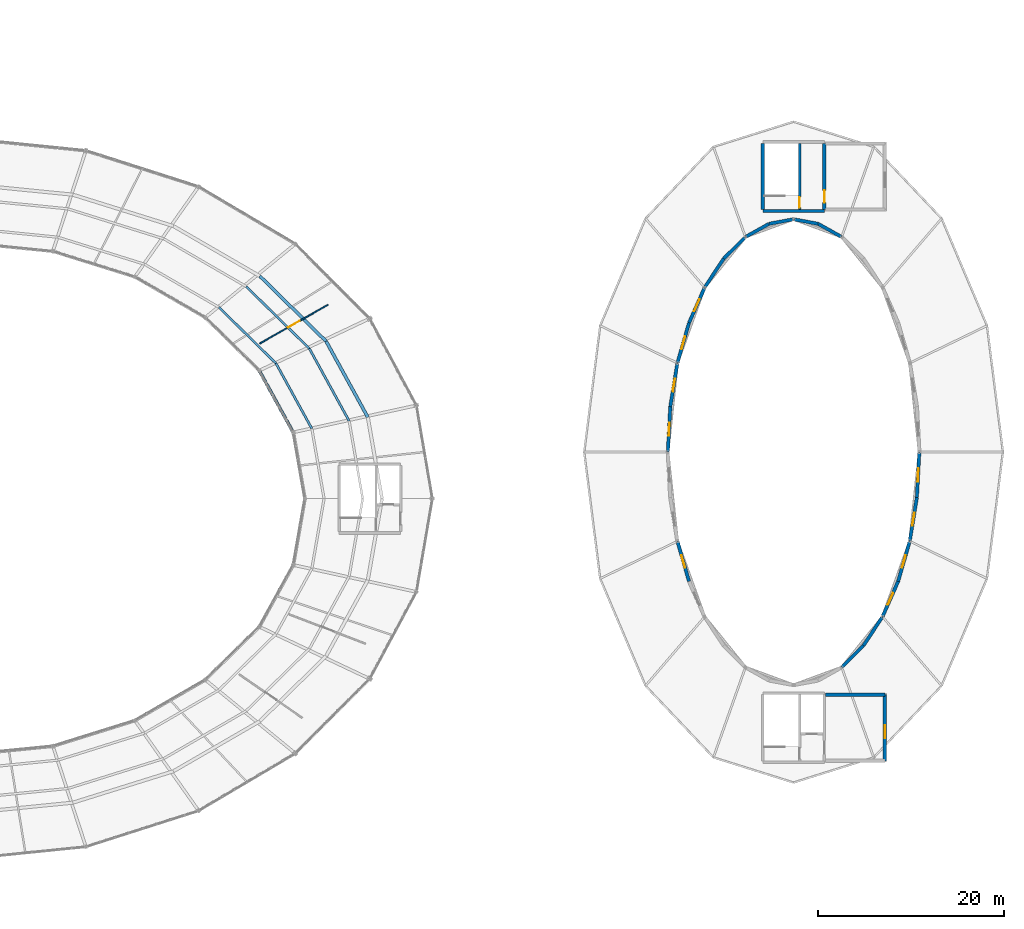
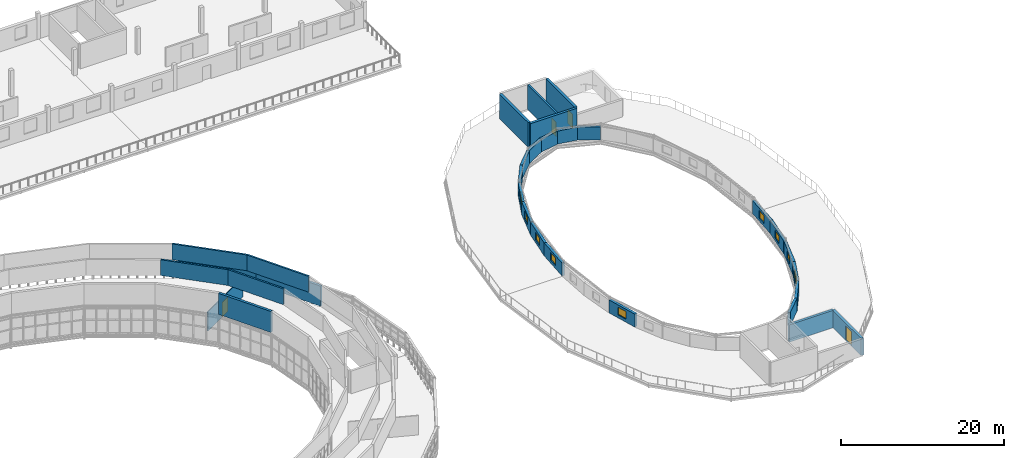
# One storey, part 106 of 123: 31 walls, 9 windows, 4 doors, 13 openings.
"""IFC4 building model written with IfcOpenShell, lengths in metres."""

from ifc_helpers import new_model, si_unit, direction, frame, frame_2d, origin, place, context, subcontext, project, spatial, rectangle, extrude, material, layer, layer_set, type_object, element, fill, save


model = new_model("IFC4")

# Units and contexts
model_context = context("Model", 3, precision=1e-05, world=origin(), true_north=direction((0.0, 1.0)))
body_context = subcontext(model_context, "Body", "Model", "MODEL_VIEW")
ifc_project = project(units=[si_unit("LENGTHUNIT", "METRE"), si_unit("AREAUNIT", "SQUARE_METRE"), si_unit("VOLUMEUNIT", "CUBIC_METRE"), si_unit("PLANEANGLEUNIT", "RADIAN"), si_unit("MASSUNIT", "GRAM", prefix="KILO")], contexts=[model_context])

# Site, building, storey
site_placement = place(None, origin())
site = spatial("IfcSite", under=ifc_project, at=site_placement, CompositionType="ELEMENT")
building_placement = place(site_placement, origin())
building = spatial("IfcBuilding", under=site, at=building_placement, Name="Kildeholm Park Wholesale Market", CompositionType="ELEMENT")
storey_placement = place(building_placement, frame((0.0, 0.0, 9.60009765625)))
storey = spatial("IfcBuildingStorey", under=building, at=storey_placement, Name="L02", CompositionType="ELEMENT", Elevation=9.60009765625)

# Walls
ifc_material_1 = material(Name="Red Danish clinker brick masonry with Concrete C35/45 backing", Category="masonry")
ifc_layer_1 = layer(ifc_material_1, 0.360107421875)
ifc_layer_set_1 = layer_set([ifc_layer_1], Name="Red Danish clinker brick masonry with Concrete C35/45 backing")
wall_type_1 = type_object("IfcWallType", Name="Exterior wall W-EX1 360 mm", PredefinedType="SOLIDWALL", material=ifc_layer_set_1)
wall_1_placement = place(storey_placement, frame((193.131103515625, 117.6240234375, 0.0), z_axis=(0.0, 0.0, 1.0), x_axis=(-0.872857959916, 0.487974365937, 0.0)))
element("IfcWall", 1, at=wall_1_placement, inside=storey, type_object=wall_type_1, Name="Oval nave clerestory wall 4.1 WL-0229", PredefinedType="SOLIDWALL", context=body_context, shape_type="SweptSolid", body=[
    extrude(rectangle(XDim=2.86083984375, YDim=0.360107421875, at=frame_2d((1.430419921875, 0.0))), origin(), (0.0, 0.0, 1.0), 1.949951171875),
])
for number, where, z_axis, x_axis, name in (
    (2, (190.634033203125, 119.02001953125, 0.0), (0.0, 0.0, 1.0), (-0.983320632163, 0.181880549707, 0.0), "Oval nave clerestory wall 4.2 WL-0230"),
    (3, (187.9609375, 119.5, 0.0), (0.0, 0.0, 1.0), (-0.983320632163, -0.181880549707, 0.0), "Oval nave clerestory wall 5.1 WL-0235"),
):
    element("IfcWall", number, at=place(storey_placement, frame(where, z_axis=z_axis, x_axis=x_axis)), inside=storey, type_object=wall_type_1, Name=name, PredefinedType="SOLIDWALL", context=body_context, shape_type="SweptSolid", body=[
        extrude(rectangle(XDim=2.638916015625, YDim=0.360107421875, at=frame_2d((1.3193359375, 0.0))), origin(), (0.0, 0.0, 1.0), 1.949951171875),
    ])
wall_2_placement = place(storey_placement, frame((185.365966796875, 119.02001953125, 0.0), z_axis=(0.0, 0.0, 1.0), x_axis=(-0.872857959916, -0.487974365937, 0.0)))
element("IfcWall", 4, at=wall_2_placement, inside=storey, type_object=wall_type_1, Name="Oval nave clerestory wall 5.2 WL-0236", PredefinedType="SOLIDWALL", context=body_context, shape_type="SweptSolid", body=[
    extrude(rectangle(XDim=2.86083984375, YDim=0.360107421875, at=frame_2d((1.430419921875, 0.0))), origin(), (0.0, 0.0, 1.0), 1.949951171875),
])
wall_3_placement = place(storey_placement, frame((182.805908203125, 117.574951171875, 0.0), z_axis=(0.0, 0.0, 1.0), x_axis=(-0.709882217203, -0.704320408407, 0.0)))
element("IfcWall", 5, at=wall_3_placement, inside=storey, type_object=wall_type_1, Name="Oval nave clerestory wall 6.1 WL-0241", PredefinedType="SOLIDWALL", context=body_context, shape_type="SweptSolid", body=[
    extrude(rectangle(XDim=3.248291015625, YDim=0.360107421875, at=frame_2d((1.6240234375, 0.0))), origin(), (0.0, 0.0, 1.0), 1.949951171875),
])
wall_4_placement = place(storey_placement, frame((180.5, 115.287109375, 0.0), z_axis=(0.0, 0.0, 1.0), x_axis=(-0.550402776331, -0.834899265665, 0.0)))
element("IfcWall", 6, at=wall_4_placement, inside=storey, type_object=wall_type_1, Name="Oval nave clerestory wall 6.2 WL-0242", PredefinedType="SOLIDWALL", context=body_context, shape_type="SweptSolid", body=[
    extrude(rectangle(XDim=3.67724609375, YDim=0.360107421875, at=frame_2d((1.838623046875, 0.0))), origin(), (0.0, 0.0, 1.0), 1.949951171875),
])

# Wall, opening, window
wall_5_placement = place(storey_placement, frame((178.43701171875, 112.14501953125, 0.0), z_axis=(0.0, 0.0, 1.0), x_axis=(-0.404659928735, -0.914467244945, 0.0)))
wall_5 = element("IfcWall", 7, at=wall_5_placement, inside=storey, type_object=wall_type_1, Name="Oval nave clerestory wall 7.1 WL-0247", PredefinedType="SOLIDWALL", context=body_context, shape_type="SweptSolid", body=[
    extrude(rectangle(XDim=4.107421875, YDim=0.360107421875, at=frame_2d((2.0537109375, 0.0))), origin(), (0.0, 0.0, 1.0), 1.949951171875),
])
opening_1_placement = place(wall_5_placement, frame((1.35400390625, 0.0, 0.449951171875)))
opening_1 = element("IfcOpeningElement", 8, at=opening_1_placement, cuts=wall_5, Name="Opening WN-18", PredefinedType="OPENING", context=body_context, shape_type="SweptSolid", body=[
    extrude(rectangle(XDim=1.39990234375, YDim=1.14990234375, at=frame_2d((0.699951171875, 0.574951171875))), frame((0.0, 0.18994140625, 0.0), z_axis=(0.0, -1.0, 0.0), x_axis=(1.0, 0.0, 0.0)), (0.0, 0.0, 1.0), 0.380126953125),
])
ifc_material_2 = material(Name="Thermally broken aluminium and triple-glazed low-E glass", Category="aluminium")
window_type = type_object("IfcWindowType", Name="Window WN-18 1400x1150", PartitioningType="DOUBLE_PANEL_VERTICAL", PredefinedType="WINDOW", material=ifc_material_2)
window_1_placement = place(opening_1_placement, origin())
window_1 = element("IfcWindow", 9, at=window_1_placement, inside=storey, type_object=window_type, Name="Oval clerestory window 7.0 WIN-0062", OverallHeight=1.14990234375, OverallWidth=1.39990234375, PartitioningType="SINGLE_PANEL", PredefinedType="WINDOW", context=body_context, shape_type="SweptSolid", body=[
    extrude(rectangle(XDim=1.39990234375, YDim=1.14990234375, at=frame_2d((0.699951171875, 0.574951171875))), frame((0.0, 0.030029296875, 0.0), z_axis=(0.0, -1.0, 0.0), x_axis=(1.0, 0.0, 0.0)), (0.0, 0.0, 1.0), 0.06005859375),
])
fill(opening_1, window_1)

wall_6_placement = place(storey_placement, frame((176.77490234375, 108.388916015625, 0.0), z_axis=(0.0, 0.0, 1.0), x_axis=(-0.277817244188, -0.960633946325, 0.0)))
wall_6 = element("IfcWall", 10, at=wall_6_placement, inside=storey, type_object=wall_type_1, Name="Oval nave clerestory wall 7.2 WL-0248", PredefinedType="SOLIDWALL", context=body_context, shape_type="SweptSolid", body=[
    extrude(rectangle(XDim=4.455322265625, YDim=0.360107421875, at=frame_2d((2.2275390625, 0.0))), origin(), (0.0, 0.0, 1.0), 1.949951171875),
])
opening_2_placement = place(wall_6_placement, frame((1.528076171875, 0.0, 0.449951171875)))
opening_2 = element("IfcOpeningElement", 11, at=opening_2_placement, cuts=wall_6, Name="Opening WN-18", PredefinedType="OPENING", context=body_context, shape_type="SweptSolid", body=[
    extrude(rectangle(XDim=1.39990234375, YDim=1.14990234375, at=frame_2d((0.699951171875, 0.574951171875))), frame((0.0, 0.18994140625, 0.0), z_axis=(0.0, -1.0, 0.0), x_axis=(1.0, 0.0, 0.0)), (0.0, 0.0, 1.0), 0.380126953125),
])
window_2_placement = place(opening_2_placement, origin())
window_2 = element("IfcWindow", 12, at=window_2_placement, inside=storey, type_object=window_type, Name="Oval clerestory window 7.1 WIN-0063", OverallHeight=1.14990234375, OverallWidth=1.39990234375, PartitioningType="SINGLE_PANEL", PredefinedType="WINDOW", context=body_context, shape_type="SweptSolid", body=[
    extrude(rectangle(XDim=1.39990234375, YDim=1.14990234375, at=frame_2d((0.699951171875, 0.574951171875))), frame((0.0, 0.030029296875, 0.0), z_axis=(0.0, -1.0, 0.0), x_axis=(1.0, 0.0, 0.0)), (0.0, 0.0, 1.0), 0.06005859375),
])
fill(opening_2, window_2)

wall_7_placement = place(storey_placement, frame((175.51904296875, 104.029052734375, 0.0), z_axis=(0.0, 0.0, 1.0), x_axis=(-0.161231765163, -0.986916570893, 0.0)))
wall_7 = element("IfcWall", 13, at=wall_7_placement, inside=storey, type_object=wall_type_1, Name="Oval nave clerestory wall 8.1 WL-0253", PredefinedType="SOLIDWALL", context=body_context, shape_type="SweptSolid", body=[
    extrude(rectangle(XDim=4.7138671875, YDim=0.360107421875, at=frame_2d((2.35693359375, 0.0))), origin(), (0.0, 0.0, 1.0), 1.949951171875),
])
opening_3_placement = place(wall_7_placement, frame((1.656982421875, 0.0, 0.449951171875)))
opening_3 = element("IfcOpeningElement", 14, at=opening_3_placement, cuts=wall_7, Name="Opening WN-18", PredefinedType="OPENING", context=body_context, shape_type="SweptSolid", body=[
    extrude(rectangle(XDim=1.39990234375, YDim=1.14990234375, at=frame_2d((0.699951171875, 0.574951171875))), frame((0.0, 0.18994140625, 0.0), z_axis=(0.0, -1.0, 0.0), x_axis=(1.0, 0.0, 0.0)), (0.0, 0.0, 1.0), 0.380126953125),
])
window_3_placement = place(opening_3_placement, origin())
window_3 = element("IfcWindow", 15, at=window_3_placement, inside=storey, type_object=window_type, Name="Oval clerestory window 8.0 WIN-0066", OverallHeight=1.14990234375, OverallWidth=1.39990234375, PartitioningType="SINGLE_PANEL", PredefinedType="WINDOW", context=body_context, shape_type="SweptSolid", body=[
    extrude(rectangle(XDim=1.39990234375, YDim=1.14990234375, at=frame_2d((0.699951171875, 0.574951171875))), frame((0.0, 0.030029296875, 0.0), z_axis=(0.0, -1.0, 0.0), x_axis=(1.0, 0.0, 0.0)), (0.0, 0.0, 1.0), 0.06005859375),
])
fill(opening_3, window_3)

wall_8_placement = place(storey_placement, frame((174.759033203125, 99.376953125, 0.0), z_axis=(0.0, 0.0, 1.0), x_axis=(-0.05348754021, -0.998568516949, 0.0)))
wall_8 = element("IfcWall", 16, at=wall_8_placement, inside=storey, type_object=wall_type_1, Name="Oval nave clerestory wall 8.2 WL-0254", PredefinedType="SOLIDWALL", context=body_context, shape_type="SweptSolid", body=[
    extrude(rectangle(XDim=4.8427734375, YDim=0.360107421875, at=frame_2d((2.42138671875, 0.0))), origin(), (0.0, 0.0, 1.0), 1.949951171875),
])
opening_4_placement = place(wall_8_placement, frame((1.720947265625, 0.0, 0.449951171875)))
opening_4 = element("IfcOpeningElement", 17, at=opening_4_placement, cuts=wall_8, Name="Opening WN-18", PredefinedType="OPENING", context=body_context, shape_type="SweptSolid", body=[
    extrude(rectangle(XDim=1.39990234375, YDim=1.14990234375, at=frame_2d((0.699951171875, 0.574951171875))), frame((0.0, 0.18994140625, 0.0), z_axis=(0.0, -1.0, 0.0), x_axis=(1.0, 0.0, 0.0)), (0.0, 0.0, 1.0), 0.380126953125),
])
window_4_placement = place(opening_4_placement, origin())
window_4 = element("IfcWindow", 18, at=window_4_placement, inside=storey, type_object=window_type, Name="Oval clerestory window 8.1 WIN-0067", OverallHeight=1.14990234375, OverallWidth=1.39990234375, PartitioningType="SINGLE_PANEL", PredefinedType="WINDOW", context=body_context, shape_type="SweptSolid", body=[
    extrude(rectangle(XDim=1.39990234375, YDim=1.14990234375, at=frame_2d((0.699951171875, 0.574951171875))), frame((0.0, 0.030029296875, 0.0), z_axis=(0.0, -1.0, 0.0), x_axis=(1.0, 0.0, 0.0)), (0.0, 0.0, 1.0), 0.06005859375),
])
fill(opening_4, window_4)

wall_9_placement = place(storey_placement, frame((175.537109375, 84.89111328125, 0.0), z_axis=(0.0, 0.0, 1.0), x_axis=(0.277817244188, -0.960633946325, 0.0)))
wall_9 = element("IfcWall", 19, at=wall_9_placement, inside=storey, type_object=wall_type_1, Name="Oval nave clerestory wall 10.1 WL-0265", PredefinedType="SOLIDWALL", context=body_context, shape_type="SweptSolid", body=[
    extrude(rectangle(XDim=4.455322265625, YDim=0.360107421875, at=frame_2d((2.2275390625, 0.0))), origin(), (0.0, 0.0, 1.0), 1.949951171875),
])
opening_5_placement = place(wall_9_placement, frame((1.528076171875, 0.0, 0.449951171875)))
opening_5 = element("IfcOpeningElement", 20, at=opening_5_placement, cuts=wall_9, Name="Opening WN-18", PredefinedType="OPENING", context=body_context, shape_type="SweptSolid", body=[
    extrude(rectangle(XDim=1.39990234375, YDim=1.14990234375, at=frame_2d((0.699951171875, 0.574951171875))), frame((0.0, 0.18994140625, 0.0), z_axis=(0.0, -1.0, 0.0), x_axis=(1.0, 0.0, 0.0)), (0.0, 0.0, 1.0), 0.380126953125),
])
window_5_placement = place(opening_5_placement, origin())
window_5 = element("IfcWindow", 21, at=window_5_placement, inside=storey, type_object=window_type, Name="Oval clerestory window 10.0 WIN-0073", OverallHeight=1.14990234375, OverallWidth=1.39990234375, PartitioningType="SINGLE_PANEL", PredefinedType="WINDOW", context=body_context, shape_type="SweptSolid", body=[
    extrude(rectangle(XDim=1.39990234375, YDim=1.14990234375, at=frame_2d((0.699951171875, 0.574951171875))), frame((0.0, 0.030029296875, 0.0), z_axis=(0.0, -1.0, 0.0), x_axis=(1.0, 0.0, 0.0)), (0.0, 0.0, 1.0), 0.06005859375),
])
fill(opening_5, window_5)

# Walls
wall_10_placement = place(storey_placement, frame((193.194091796875, 71.425048828125, 0.0), z_axis=(0.0, 0.0, 1.0), x_axis=(0.709882217203, 0.704320408407, 0.0)))
element("IfcWall", 22, at=wall_10_placement, inside=storey, type_object=wall_type_1, Name="Oval nave clerestory wall 14.1 WL-0289", PredefinedType="SOLIDWALL", context=body_context, shape_type="SweptSolid", body=[
    extrude(rectangle(XDim=3.248291015625, YDim=0.360107421875, at=frame_2d((1.6240234375, 0.0))), origin(), (0.0, 0.0, 1.0), 1.949951171875),
])
wall_11_placement = place(storey_placement, frame((195.5, 73.712890625, 0.0), z_axis=(0.0, 0.0, 1.0), x_axis=(0.550402776331, 0.834899265665, 0.0)))
element("IfcWall", 23, at=wall_11_placement, inside=storey, type_object=wall_type_1, Name="Oval nave clerestory wall 14.2 WL-0290", PredefinedType="SOLIDWALL", context=body_context, shape_type="SweptSolid", body=[
    extrude(rectangle(XDim=3.67724609375, YDim=0.360107421875, at=frame_2d((1.838623046875, 0.0))), origin(), (0.0, 0.0, 1.0), 1.949951171875),
])

# Wall, opening, window
wall_12_placement = place(storey_placement, frame((197.56298828125, 76.85498046875, 0.0), z_axis=(0.0, 0.0, 1.0), x_axis=(0.404659928735, 0.914467244945, 0.0)))
wall_12 = element("IfcWall", 24, at=wall_12_placement, inside=storey, type_object=wall_type_1, Name="Oval nave clerestory wall 15.1 WL-0295", PredefinedType="SOLIDWALL", context=body_context, shape_type="SweptSolid", body=[
    extrude(rectangle(XDim=4.107421875, YDim=0.360107421875, at=frame_2d((2.0537109375, 0.0))), origin(), (0.0, 0.0, 1.0), 1.949951171875),
])
opening_6_placement = place(wall_12_placement, frame((1.35400390625, 0.0, 0.449951171875)))
opening_6 = element("IfcOpeningElement", 25, at=opening_6_placement, cuts=wall_12, Name="Opening WN-18", PredefinedType="OPENING", context=body_context, shape_type="SweptSolid", body=[
    extrude(rectangle(XDim=1.39990234375, YDim=1.14990234375, at=frame_2d((0.699951171875, 0.574951171875))), frame((0.0, 0.18994140625, 0.0), z_axis=(0.0, -1.0, 0.0), x_axis=(1.0, 0.0, 0.0)), (0.0, 0.0, 1.0), 0.380126953125),
])
window_6_placement = place(opening_6_placement, origin())
window_6 = element("IfcWindow", 26, at=window_6_placement, inside=storey, type_object=window_type, Name="Oval clerestory window 15.0 WIN-0085", OverallHeight=1.14990234375, OverallWidth=1.39990234375, PartitioningType="SINGLE_PANEL", PredefinedType="WINDOW", context=body_context, shape_type="SweptSolid", body=[
    extrude(rectangle(XDim=1.39990234375, YDim=1.14990234375, at=frame_2d((0.699951171875, 0.574951171875))), frame((0.0, 0.030029296875, 0.0), z_axis=(0.0, -1.0, 0.0), x_axis=(1.0, 0.0, 0.0)), (0.0, 0.0, 1.0), 0.06005859375),
])
fill(opening_6, window_6)

wall_13_placement = place(storey_placement, frame((199.22509765625, 80.611083984375, 0.0), z_axis=(0.0, 0.0, 1.0), x_axis=(0.277817244188, 0.960633946325, 0.0)))
wall_13 = element("IfcWall", 27, at=wall_13_placement, inside=storey, type_object=wall_type_1, Name="Oval nave clerestory wall 15.2 WL-0296", PredefinedType="SOLIDWALL", context=body_context, shape_type="SweptSolid", body=[
    extrude(rectangle(XDim=4.455322265625, YDim=0.360107421875, at=frame_2d((2.2275390625, 0.0))), origin(), (0.0, 0.0, 1.0), 1.949951171875),
])
opening_7_placement = place(wall_13_placement, frame((1.528076171875, 0.0, 0.449951171875)))
opening_7 = element("IfcOpeningElement", 28, at=opening_7_placement, cuts=wall_13, Name="Opening WN-18", PredefinedType="OPENING", context=body_context, shape_type="SweptSolid", body=[
    extrude(rectangle(XDim=1.39990234375, YDim=1.14990234375, at=frame_2d((0.699951171875, 0.574951171875))), frame((0.0, 0.18994140625, 0.0), z_axis=(0.0, -1.0, 0.0), x_axis=(1.0, 0.0, 0.0)), (0.0, 0.0, 1.0), 0.380126953125),
])
window_7_placement = place(opening_7_placement, origin())
window_7 = element("IfcWindow", 29, at=window_7_placement, inside=storey, type_object=window_type, Name="Oval clerestory window 15.1 WIN-0086", OverallHeight=1.14990234375, OverallWidth=1.39990234375, PartitioningType="SINGLE_PANEL", PredefinedType="WINDOW", context=body_context, shape_type="SweptSolid", body=[
    extrude(rectangle(XDim=1.39990234375, YDim=1.14990234375, at=frame_2d((0.699951171875, 0.574951171875))), frame((0.0, 0.030029296875, 0.0), z_axis=(0.0, -1.0, 0.0), x_axis=(1.0, 0.0, 0.0)), (0.0, 0.0, 1.0), 0.06005859375),
])
fill(opening_7, window_7)

wall_14_placement = place(storey_placement, frame((200.48095703125, 84.970947265625, 0.0), z_axis=(0.0, 0.0, 1.0), x_axis=(0.161231765163, 0.986916570893, 0.0)))
wall_14 = element("IfcWall", 30, at=wall_14_placement, inside=storey, type_object=wall_type_1, Name="Oval nave clerestory wall 16.1 WL-0301", PredefinedType="SOLIDWALL", context=body_context, shape_type="SweptSolid", body=[
    extrude(rectangle(XDim=4.7138671875, YDim=0.360107421875, at=frame_2d((2.35693359375, 0.0))), origin(), (0.0, 0.0, 1.0), 1.949951171875),
])
opening_8_placement = place(wall_14_placement, frame((1.656982421875, 0.0, 0.449951171875)))
opening_8 = element("IfcOpeningElement", 31, at=opening_8_placement, cuts=wall_14, Name="Opening WN-18", PredefinedType="OPENING", context=body_context, shape_type="SweptSolid", body=[
    extrude(rectangle(XDim=1.39990234375, YDim=1.14990234375, at=frame_2d((0.699951171875, 0.574951171875))), frame((0.0, 0.18994140625, 0.0), z_axis=(0.0, -1.0, 0.0), x_axis=(1.0, 0.0, 0.0)), (0.0, 0.0, 1.0), 0.380126953125),
])
window_8_placement = place(opening_8_placement, origin())
window_8 = element("IfcWindow", 32, at=window_8_placement, inside=storey, type_object=window_type, Name="Oval clerestory window 16.0 WIN-0089", OverallHeight=1.14990234375, OverallWidth=1.39990234375, PartitioningType="SINGLE_PANEL", PredefinedType="WINDOW", context=body_context, shape_type="SweptSolid", body=[
    extrude(rectangle(XDim=1.39990234375, YDim=1.14990234375, at=frame_2d((0.699951171875, 0.574951171875))), frame((0.0, 0.030029296875, 0.0), z_axis=(0.0, -1.0, 0.0), x_axis=(1.0, 0.0, 0.0)), (0.0, 0.0, 1.0), 0.06005859375),
])
fill(opening_8, window_8)

wall_15_placement = place(storey_placement, frame((201.240966796875, 89.623046875, 0.0), z_axis=(0.0, 0.0, 1.0), x_axis=(0.05348754021, 0.998568516949, 0.0)))
wall_15 = element("IfcWall", 33, at=wall_15_placement, inside=storey, type_object=wall_type_1, Name="Oval nave clerestory wall 16.2 WL-0302", PredefinedType="SOLIDWALL", context=body_context, shape_type="SweptSolid", body=[
    extrude(rectangle(XDim=4.8427734375, YDim=0.360107421875, at=frame_2d((2.42138671875, 0.0))), origin(), (0.0, 0.0, 1.0), 1.949951171875),
])
opening_9_placement = place(wall_15_placement, frame((1.720947265625, 0.0, 0.449951171875)))
opening_9 = element("IfcOpeningElement", 34, at=opening_9_placement, cuts=wall_15, Name="Opening WN-18", PredefinedType="OPENING", context=body_context, shape_type="SweptSolid", body=[
    extrude(rectangle(XDim=1.39990234375, YDim=1.14990234375, at=frame_2d((0.699951171875, 0.574951171875))), frame((0.0, 0.18994140625, 0.0), z_axis=(0.0, -1.0, 0.0), x_axis=(1.0, 0.0, 0.0)), (0.0, 0.0, 1.0), 0.380126953125),
])
window_9_placement = place(opening_9_placement, origin())
window_9 = element("IfcWindow", 35, at=window_9_placement, inside=storey, type_object=window_type, Name="Oval clerestory window 16.1 WIN-0090", OverallHeight=1.14990234375, OverallWidth=1.39990234375, PartitioningType="SINGLE_PANEL", PredefinedType="WINDOW", context=body_context, shape_type="SweptSolid", body=[
    extrude(rectangle(XDim=1.39990234375, YDim=1.14990234375, at=frame_2d((0.699951171875, 0.574951171875))), frame((0.0, 0.030029296875, 0.0), z_axis=(0.0, -1.0, 0.0), x_axis=(1.0, 0.0, 0.0)), (0.0, 0.0, 1.0), 0.06005859375),
])
fill(opening_9, window_9)

# Walls
ifc_material_3 = material(Name="Precast concrete C40/50 architectural rainscreen wall", Category="concrete")
ifc_layer_2 = layer(ifc_material_3, 0.340087890625)
ifc_layer_set_2 = layer_set([ifc_layer_2], Name="Precast concrete C40/50 architectural rainscreen wall")
wall_type_2 = type_object("IfcWallType", Name="Exterior wall W-EX4 340 mm", PredefinedType="SOLIDWALL", material=ifc_layer_set_2)
wall_16_placement = place(storey_placement, frame((142.27294921875, 98.248046875, 4.52978515625), z_axis=(0.0, 0.0, 1.0), x_axis=(-0.481203038707, 0.876609169208, 0.0)))
element("IfcWall", 36, at=wall_16_placement, inside=storey, type_object=wall_type_2, Name="Vault lantern clerestory wall 2 WL-0015", PredefinedType="SOLIDWALL", context=body_context, shape_type="SweptSolid", body=[
    extrude(rectangle(XDim=9.29931640625, YDim=0.340087890625, at=frame_2d((4.649658203125, 0.0))), origin(), (0.0, 0.0, 1.0), 3.02001953125),
])
wall_17_placement = place(storey_placement, frame((134.256103515625, 96.617919921875, 4.389892578125), z_axis=(0.0, 0.0, 1.0), x_axis=(-0.481751565348, 0.876307839338, 0.0)))
element("IfcWall", 37, at=wall_17_placement, inside=storey, type_object=wall_type_2, Name="Vault inner lower wall 2 WL-0016", PredefinedType="SOLIDWALL", context=body_context, shape_type="SweptSolid", body=[
    extrude(rectangle(XDim=7.568115234375, YDim=0.340087890625, at=frame_2d((3.7841796875, 0.0))), origin(), (0.0, 0.0, 1.0), 3.159912109375),
])
wall_18_placement = place(storey_placement, frame((140.26904296875, 97.840087890625, 7.579833984375), z_axis=(0.0, 0.0, 1.0), x_axis=(-0.481354223541, 0.87652616132, 0.0)))
element("IfcWall", 38, at=wall_18_placement, inside=storey, type_object=wall_type_2, Name="Vault crown outer clerestory 2 WL-0017", PredefinedType="SOLIDWALL", context=body_context, shape_type="SweptSolid", body=[
    extrude(rectangle(XDim=8.86669921875, YDim=0.239990234375, at=frame_2d((4.433349609375, 0.0))), origin(), (0.0, 0.0, 1.0), 2.3701171875),
])
wall_19_placement = place(storey_placement, frame((136.260986328125, 97.02490234375, 7.579833984375), z_axis=(0.0, 0.0, 1.0), x_axis=(-0.481658705075, 0.876358883007, 0.0)))
element("IfcWall", 39, at=wall_19_placement, inside=storey, type_object=wall_type_2, Name="Vault crown inner clerestory 2 WL-0018", PredefinedType="SOLIDWALL", context=body_context, shape_type="SweptSolid", body=[
    extrude(rectangle(XDim=8.00146484375, YDim=0.239990234375, at=frame_2d((4.000732421875, 0.0))), origin(), (0.0, 0.0, 1.0), 2.3701171875),
])
wall_20_placement = place(storey_placement, frame((137.798095703125, 106.39990234375, 4.52978515625), z_axis=(0.0, 0.0, 1.0), x_axis=(-0.713096204455, 0.701066190307, 0.0)))
element("IfcWall", 40, at=wall_20_placement, inside=storey, type_object=wall_type_2, Name="Vault lantern clerestory wall 3 WL-0024", PredefinedType="SOLIDWALL", context=body_context, shape_type="SweptSolid", body=[
    extrude(rectangle(XDim=9.98486328125, YDim=0.340087890625, at=frame_2d((4.992431640625, 0.0))), origin(), (0.0, 0.0, 1.0), 3.02001953125),
])
wall_21_placement = place(storey_placement, frame((136.0009765625, 105.612060546875, 7.579833984375), z_axis=(0.0, 0.0, 1.0), x_axis=(-0.71311938496, 0.701042611254, 0.0)))
element("IfcWall", 41, at=wall_21_placement, inside=storey, type_object=wall_type_2, Name="Vault crown outer clerestory 3 WL-0026", PredefinedType="SOLIDWALL", context=body_context, shape_type="SweptSolid", body=[
    extrude(rectangle(XDim=9.521484375, YDim=0.239990234375, at=frame_2d((4.7607421875, 0.0))), origin(), (0.0, 0.0, 1.0), 2.3701171875),
])
wall_22_placement = place(storey_placement, frame((132.406982421875, 104.037109375, 7.579833984375), z_axis=(0.0, 0.0, 1.0), x_axis=(-0.713357861119, 0.700799944335, 0.0)))
element("IfcWall", 42, at=wall_22_placement, inside=storey, type_object=wall_type_2, Name="Vault crown inner clerestory 3 WL-0027", PredefinedType="SOLIDWALL", context=body_context, shape_type="SweptSolid", body=[
    extrude(rectangle(XDim=8.593017578125, YDim=0.239990234375, at=frame_2d((4.29638671875, 0.0))), origin(), (0.0, 0.0, 1.0), 2.3701171875),
])
wall_23_placement = place(storey_placement, frame((191.449951171875, 68.449951171875, 0.0), z_axis=(0.0, 0.0, 1.0), x_axis=(1.0, 0.0, 0.0)))
element("IfcWall", 43, at=wall_23_placement, inside=storey, type_object=wall_type_2, Name="Oval garden lounge north wall S WL-0304", PredefinedType="SOLIDWALL", context=body_context, shape_type="SweptSolid", body=[
    extrude(rectangle(XDim=6.35009765625, YDim=0.340087890625, at=frame_2d((3.175048828125, 0.0))), origin(), (0.0, 0.0, 1.0), 2.599853515625),
])

# Wall, opening, door
wall_24_placement = place(storey_placement, frame((197.800048828125, 61.35009765625, 0.0), z_axis=(0.0, 0.0, 1.0), x_axis=(0.0, 1.0, 0.0)))
wall_24 = element("IfcWall", 44, at=wall_24_placement, inside=storey, type_object=wall_type_2, Name="Oval garden lounge east wall S WL-0305", PredefinedType="SOLIDWALL", context=body_context, shape_type="SweptSolid", body=[
    extrude(rectangle(XDim=7.099853515625, YDim=0.340087890625, at=frame_2d((3.5498046875, 0.0))), origin(), (0.0, 0.0, 1.0), 2.599853515625),
])
opening_10_placement = place(wall_24_placement, frame((2.39990234375, 0.0, 0.0)))
opening_10 = element("IfcOpeningElement", 45, at=opening_10_placement, cuts=wall_24, Name="Opening D-EX07", PredefinedType="OPENING", context=body_context, shape_type="SweptSolid", body=[
    extrude(rectangle(XDim=1.39990234375, YDim=2.199951171875, at=frame_2d((0.699951171875, 1.10009765625))), frame((0.0, 0.179931640625, 0.0), z_axis=(0.0, -1.0, 0.0), x_axis=(1.0, 0.0, 0.0)), (0.0, 0.0, 1.0), 0.360107421875),
])
ifc_material_4 = material(Name="Anodised aluminium roof-garden double door", Category="aluminium")
door_type_1 = type_object("IfcDoorType", Name="Exterior door D-EX07 1400x2200", OperationType="NOTDEFINED", PredefinedType="DOOR", material=ifc_material_4)
door_1_placement = place(opening_10_placement, frame((1.39990234375, 0.0, 0.0), z_axis=(0.0, 0.0, 1.0), x_axis=(-1.0, 0.0, 0.0)))
door_1 = element("IfcDoor", 46, at=door_1_placement, inside=storey, type_object=door_type_1, Name="Oval roof garden door S DR-0013 WL-0305", OperationType="DOUBLE_DOOR_SINGLE_SWING", OverallHeight=2.199951171875, OverallWidth=1.39990234375, PredefinedType="DOOR", context=body_context, shape_type="SweptSolid", body=[
    extrude(rectangle(XDim=1.39990234375, YDim=2.199951171875, at=frame_2d((0.699951171875, 1.10009765625))), frame((0.0, 0.02490234375, 0.0), z_axis=(0.0, -1.0, 0.0), x_axis=(1.0, 0.0, 0.0)), (0.0, 0.0, 1.0), 0.050048828125),
])
fill(opening_10, door_1)

ifc_material_5 = material(Name="Glazed office and laboratory acoustic partition")
ifc_layer_3 = layer(ifc_material_5, 0.1298828125)
ifc_layer_set_3 = layer_set([ifc_layer_3], Name="Glazed office and laboratory acoustic partition")
wall_type_3 = type_object("IfcWallType", Name="Partition W-PT12 130 mm", PredefinedType="PARTITIONING", material=ifc_layer_set_3)
wall_25_placement = place(storey_placement, frame((130.6669921875, 106.158935546875, 0.0), z_axis=(0.0, 0.0, 1.0), x_axis=(0.869564093622, 0.493820095869, 0.0)))
wall_25 = element("IfcWall", 47, at=wall_25_placement, inside=storey, type_object=wall_type_3, Name="Interior partition W-V1-ST2-02 WL-0936", PredefinedType="PARTITIONING", context=body_context, shape_type="SweptSolid", body=[
    extrude(rectangle(XDim=8.442138671875, YDim=0.1298828125, at=frame_2d((4.22119140625, 0.0))), origin(), (0.0, 0.0, 1.0), 2.89990234375),
])
opening_11_placement = place(wall_25_placement, frame((3.49609375, 0.0, 0.0)))
opening_11 = element("IfcOpeningElement", 48, at=opening_11_placement, cuts=wall_25, Name="Opening D-IN08", PredefinedType="OPENING", context=body_context, shape_type="SweptSolid", body=[
    extrude(rectangle(XDim=1.449951171875, YDim=2.14990234375, at=frame_2d((0.72509765625, 1.074951171875))), frame((0.0, 0.074951171875, 0.0), z_axis=(0.0, -1.0, 0.0), x_axis=(1.0, 0.0, 0.0)), (0.0, 0.0, 1.0), 0.14990234375),
])
ifc_material_6 = material(Name="Buyers exchange glazed doorset")
door_type_2 = type_object("IfcDoorType", Name="Interior door D-IN08 1450x2150", OperationType="NOTDEFINED", PredefinedType="DOOR", material=ifc_material_6)
door_2_placement = place(opening_11_placement, origin())
door_2 = element("IfcDoor", 49, at=door_2_placement, inside=storey, type_object=door_type_2, Name="Interior door V1-ST2-02 DR-0211 WL-0936", OperationType="SINGLE_SWING_LEFT", OverallHeight=2.14990234375, OverallWidth=1.449951171875, PredefinedType="DOOR", context=body_context, shape_type="SweptSolid", body=[
    extrude(rectangle(XDim=1.449951171875, YDim=2.14990234375, at=frame_2d((0.72509765625, 1.074951171875))), frame((0.0, 0.02490234375, 0.0), z_axis=(0.0, -1.0, 0.0), x_axis=(1.0, 0.0, 0.0)), (0.0, 0.0, 1.0), 0.050048828125),
])
fill(opening_11, door_2)

ifc_material_7 = material(Name="Concrete C40/50", Category="concrete")
ifc_layer_4 = layer(ifc_material_7, 0.25)
ifc_layer_set_4 = layer_set([ifc_layer_4], Name="Concrete C40/50")
wall_type_4 = type_object("IfcWallType", Name="Shear wall W-SH2 250 mm", PredefinedType="SHEAR", material=ifc_layer_set_4)
wall_26_placement = place(storey_placement, frame((188.64990234375, 120.550048828125, 0.0), z_axis=(0.0, 0.0, 1.0), x_axis=(0.0, 1.0, 0.0)))
wall_26 = element("IfcWall", 50, at=wall_26_placement, inside=storey, type_object=wall_type_4, Name="Core C13 shaft wall L02 WL-0890", PredefinedType="SHEAR", context=body_context, shape_type="SweptSolid", body=[
    extrude(rectangle(XDim=7.099853515625, YDim=0.25, at=frame_2d((3.5498046875, 0.0))), origin(), (0.0, 0.0, 1.0), 3.699951171875),
])
opening_12_placement = place(wall_26_placement, frame((0.199951171875, 0.0, 0.0)))
opening_12 = element("IfcOpeningElement", 51, at=opening_12_placement, cuts=wall_26, Name="Opening D-CR01", PredefinedType="OPENING", context=body_context, shape_type="SweptSolid", body=[
    extrude(rectangle(XDim=1.14990234375, YDim=2.14990234375, at=frame_2d((0.574951171875, 1.074951171875))), frame((0.0, 0.135009765625, 0.0), z_axis=(0.0, -1.0, 0.0), x_axis=(1.0, 0.0, 0.0)), (0.0, 0.0, 1.0), 0.27001953125),
])
ifc_material_8 = material(Name="Painted steel fire escape doorset", Category="steel")
door_type_3 = type_object("IfcDoorType", Name="Interior door D-CR01 1150x2150", OperationType="NOTDEFINED", PredefinedType="DOOR", material=ifc_material_8)
door_3_placement = place(opening_12_placement, frame((1.14990234375, 0.0, 0.0), z_axis=(0.0, 0.0, 1.0), x_axis=(-1.0, 0.0, 0.0)))
door_3 = element("IfcDoor", 52, at=door_3_placement, inside=storey, type_object=door_type_3, Name="Core C13 stair fire door L02 DR-0196 WL-0890", OperationType="SINGLE_SWING_RIGHT", OverallHeight=2.14990234375, OverallWidth=1.14990234375, PredefinedType="DOOR", context=body_context, shape_type="SweptSolid", body=[
    extrude(rectangle(XDim=1.14990234375, YDim=2.14990234375, at=frame_2d((0.574951171875, 1.074951171875))), frame((0.0, 0.02490234375, 0.0), z_axis=(0.0, -1.0, 0.0), x_axis=(1.0, 0.0, 0.0)), (0.0, 0.0, 1.0), 0.050048828125),
])
fill(opening_12, door_3)

# Walls
ifc_layer_5 = layer(ifc_material_7, 0.35009765625)
ifc_layer_set_5 = layer_set([ifc_layer_5], Name="Concrete C40/50")
wall_type_5 = type_object("IfcWallType", Name="Shear wall W-SH3 350 mm", PredefinedType="SHEAR", material=ifc_layer_set_5)
wall_27_placement = place(storey_placement, frame((184.699951171875, 120.39990234375, 0.0), z_axis=(0.0, 0.0, 1.0), x_axis=(1.0, 0.0, 0.0)))
element("IfcWall", 53, at=wall_27_placement, inside=storey, type_object=wall_type_5, Name="Core C13 south shear wall L02 WL-0886", PredefinedType="SHEAR", context=body_context, shape_type="SweptSolid", body=[
    extrude(rectangle(XDim=6.60009765625, YDim=0.35009765625, at=frame_2d((3.300048828125, 0.0))), origin(), (0.0, 0.0, 1.0), 3.699951171875),
])
wall_28_placement = place(storey_placement, frame((184.699951171875, 120.550048828125, 0.0), z_axis=(0.0, 0.0, 1.0), x_axis=(0.0, 1.0, 0.0)))
element("IfcWall", 54, at=wall_28_placement, inside=storey, type_object=wall_type_5, Name="Core C13 west shear wall L02 WL-0888", PredefinedType="SHEAR", context=body_context, shape_type="SweptSolid", body=[
    extrude(rectangle(XDim=7.099853515625, YDim=0.35009765625, at=frame_2d((3.5498046875, 0.0))), origin(), (0.0, 0.0, 1.0), 3.699951171875),
])

# Wall, opening, door
wall_29_placement = place(storey_placement, frame((191.300048828125, 120.550048828125, 0.0), z_axis=(0.0, 0.0, 1.0), x_axis=(0.0, 1.0, 0.0)))
wall_29 = element("IfcWall", 55, at=wall_29_placement, inside=storey, type_object=wall_type_5, Name="Core C13 east shear wall L02 WL-0889", PredefinedType="SHEAR", context=body_context, shape_type="SweptSolid", body=[
    extrude(rectangle(XDim=7.099853515625, YDim=0.35009765625, at=frame_2d((3.5498046875, 0.0))), origin(), (0.0, 0.0, 1.0), 3.699951171875),
])
opening_13_placement = place(wall_29_placement, frame((0.75, 0.0, 0.0)))
opening_13 = element("IfcOpeningElement", 56, at=opening_13_placement, cuts=wall_29, Name="Opening D-CR02", PredefinedType="OPENING", context=body_context, shape_type="SweptSolid", body=[
    extrude(rectangle(XDim=1.300048828125, YDim=2.14990234375, at=frame_2d((0.64990234375, 1.074951171875))), frame((0.0, 0.18505859375, 0.0), z_axis=(0.0, -1.0, 0.0), x_axis=(1.0, 0.0, 0.0)), (0.0, 0.0, 1.0), 0.3701171875),
])
ifc_material_9 = material(Name="Painted steel core lobby double-leaf doorset", Category="steel")
door_type_4 = type_object("IfcDoorType", Name="Interior door D-CR02 1300x2150", OperationType="NOTDEFINED", PredefinedType="DOOR", material=ifc_material_9)
door_4_placement = place(opening_13_placement, frame((1.300048828125, 0.0, 0.0), z_axis=(0.0, 0.0, 1.0), x_axis=(-1.0, 0.0, 0.0)))
door_4 = element("IfcDoor", 57, at=door_4_placement, inside=storey, type_object=door_type_4, Name="Core C13 lobby entrance door L02 DR-0195 WL-0889", OperationType="DOUBLE_DOOR_SINGLE_SWING", OverallHeight=2.14990234375, OverallWidth=1.300048828125, PredefinedType="DOOR", context=body_context, shape_type="SweptSolid", body=[
    extrude(rectangle(XDim=1.300048828125, YDim=2.14990234375, at=frame_2d((0.64990234375, 1.074951171875))), frame((0.0, 0.02490234375, 0.0), z_axis=(0.0, -1.0, 0.0), x_axis=(1.0, 0.0, 0.0)), (0.0, 0.0, 1.0), 0.050048828125),
])
fill(opening_13, door_4)

save(model, "model.ifc")
